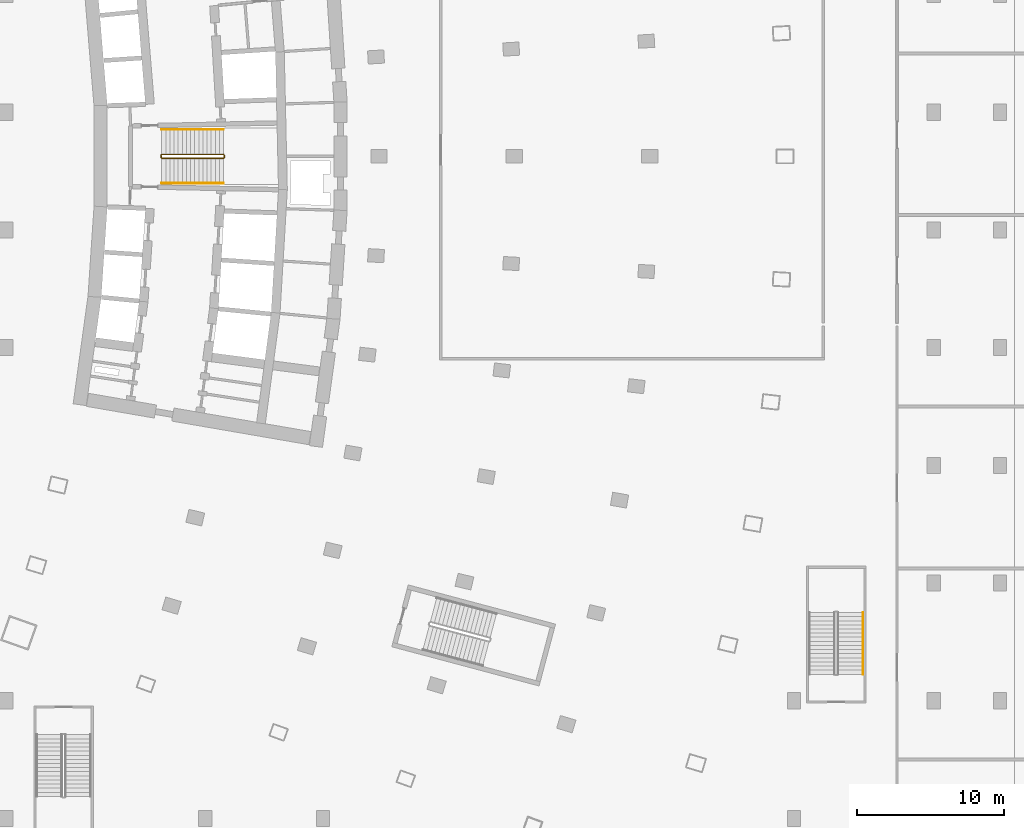
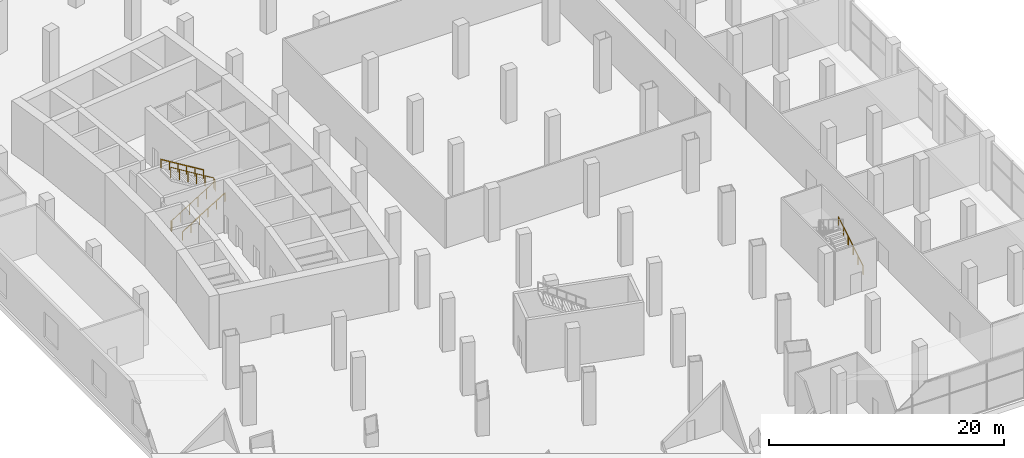
# One storey, part 22 of 26: 4 railings.
"""IFC4 building model written with IfcOpenShell, lengths in metres."""

from ifc_helpers import new_model, si_unit, direction, frame, origin, origin_with_axes, origin_2d, place, context, subcontext, project, spatial, rectangle, extrude, material, type_object, element, save


model = new_model("IFC4")

# Units and contexts
model_context = context("Model", 3, precision=1e-05, world=origin(), true_north=direction((0.0, 1.0)))
body_context = subcontext(model_context, "Body", "Model", "MODEL_VIEW")
ifc_project = project(units=[si_unit("LENGTHUNIT", "METRE"), si_unit("AREAUNIT", "SQUARE_METRE"), si_unit("VOLUMEUNIT", "CUBIC_METRE"), si_unit("PLANEANGLEUNIT", "RADIAN"), si_unit("MASSUNIT", "GRAM", prefix="KILO")], contexts=[model_context])

# Site, building, storey
site_placement = place(None, origin())
site = spatial("IfcSite", under=ifc_project, at=site_placement, CompositionType="ELEMENT")
building_placement = place(site_placement, origin())
building = spatial("IfcBuilding", under=site, at=building_placement, Name="Alderwake Tower", CompositionType="ELEMENT")
storey_placement = place(building_placement, frame((0.0, 0.0, 8.0)))
storey = spatial("IfcBuildingStorey", under=building, at=storey_placement, Name="L01", CompositionType="ELEMENT", Elevation=8.0)

# Railings
ifc_material_1 = material(Name="Stainless steel guard", Category="steel")
railing_type_1 = type_object("IfcRailingType", Name="Stair guard 1100", PredefinedType="GUARDRAIL", material=ifc_material_1)
railing_1_placement = place(storey_placement, frame((20.989990234375, 60.925048828125, 0.0)))
element("IfcRailing", 1, at=railing_1_placement, inside=storey, type_object=railing_type_1, Name="L01 ST-B stair guard 1", PredefinedType="GUARDRAIL", context=body_context, shape_type="SweptSolid", body=[
    extrude(rectangle(XDim=0.048095703125, YDim=0.048095703125, at=origin_2d()), frame((0.0, 0.0, 1.076171875), z_axis=(0.0, 1.0, 0.0), x_axis=(-1.0, 0.0, 0.0)), (0.0, 0.0, 1.0), 0.14990234375),
    extrude(rectangle(XDim=0.048095703125, YDim=0.048095703125, at=origin_2d()), frame((0.0, 0.14990234375, 1.076171875), z_axis=(0.186486819998, -0.745037588186, 0.640423030626), x_axis=(0.970072785993, 0.242814311512, 0.0)), (0.0, 0.0, 1.0), 0.268310546875),
    extrude(rectangle(XDim=0.048095703125, YDim=0.048095703125, at=origin_2d()), frame((0.050048828125, -0.050048828125, 1.248046875), z_axis=(0.852242915053, 0.0, 0.523146264196), x_axis=(0.0, 1.0, 0.0)), (0.0, 0.0, 1.0), 4.92822265625),
    extrude(rectangle(XDim=0.048095703125, YDim=0.048095703125, at=origin_2d()), frame((4.25, -0.050048828125, 3.826171875), z_axis=(0.707106781187, 0.707106781187, 0.0), x_axis=(-0.707106781187, 0.707106781187, 0.0)), (0.0, 0.0, 1.0), 0.07080078125),
    extrude(rectangle(XDim=0.048095703125, YDim=0.048095703125, at=origin_2d()), frame((4.300048828125, 0.0, 3.826171875), z_axis=(0.0, 1.0, 0.0), x_axis=(-1.0, 0.0, 0.0)), (0.0, 0.0, 1.0), 0.14990234375),
    extrude(rectangle(XDim=0.048095703125, YDim=0.048095703125, at=origin_2d()), frame((4.300048828125, 0.14990234375, 3.826171875), z_axis=(-0.269255725606, 0.269255725606, 0.92466356501), x_axis=(-0.707106781187, -0.707106781187, 0.0)), (0.0, 0.0, 1.0), 0.185791015625),
    extrude(rectangle(XDim=0.048095703125, YDim=0.048095703125, at=origin_2d()), frame((4.25, 0.199951171875, 3.998046875), z_axis=(-0.852242915053, 0.0, 0.523146264196), x_axis=(0.0, -1.0, 0.0)), (0.0, 0.0, 1.0), 4.92822265625),
    extrude(rectangle(XDim=0.0419921875, YDim=0.0419921875, at=origin_2d()), frame((0.0, 0.0, 0.0), z_axis=(0.0, 0.0, 1.0), x_axis=(0.0, 1.0, 0.0)), (0.0, 0.0, 1.0), 1.052001953125),
    extrude(rectangle(XDim=0.0419921875, YDim=0.0419921875, at=origin_2d()), frame((0.0, 0.14990234375, 0.0), z_axis=(0.0, 0.0, 1.0), x_axis=(0.242814311512, -0.970072785993, 0.0)), (0.0, 0.0, 1.0), 1.052001953125),
    extrude(rectangle(XDim=0.0419921875, YDim=0.0419921875, at=origin_2d()), frame((0.050048828125, -0.050048828125, 0.171875), z_axis=(0.0, 0.0, 1.0), x_axis=(1.0, 0.0, 0.0)), (0.0, 0.0, 1.0), 1.052001953125),
    extrude(rectangle(XDim=0.0419921875, YDim=0.0419921875, at=origin_2d()), frame((0.89013671875, -0.050048828125, 0.6875), z_axis=(0.0, 0.0, 1.0), x_axis=(1.0, 0.0, 0.0)), (0.0, 0.0, 1.0), 1.052001953125),
    extrude(rectangle(XDim=0.0419921875, YDim=0.0419921875, at=origin_2d()), frame((1.72998046875, -0.050048828125, 1.203125), z_axis=(0.0, 0.0, 1.0), x_axis=(1.0, 0.0, 0.0)), (0.0, 0.0, 1.0), 1.052001953125),
    extrude(rectangle(XDim=0.0419921875, YDim=0.0419921875, at=origin_2d()), frame((2.570068359375, -0.050048828125, 1.71875), z_axis=(0.0, 0.0, 1.0), x_axis=(1.0, 0.0, 0.0)), (0.0, 0.0, 1.0), 1.052001953125),
    extrude(rectangle(XDim=0.0419921875, YDim=0.0419921875, at=origin_2d()), frame((3.409912109375, -0.050048828125, 2.234375), z_axis=(0.0, 0.0, 1.0), x_axis=(1.0, 0.0, 0.0)), (0.0, 0.0, 1.0), 1.052001953125),
    extrude(rectangle(XDim=0.0419921875, YDim=0.0419921875, at=origin_2d()), frame((4.25, -0.050048828125, 2.75), z_axis=(0.0, 0.0, 1.0), x_axis=(0.707106781187, 0.707106781187, 0.0)), (0.0, 0.0, 1.0), 1.052001953125),
    extrude(rectangle(XDim=0.0419921875, YDim=0.0419921875, at=origin_2d()), frame((4.300048828125, 0.0, 2.75), z_axis=(0.0, 0.0, 1.0), x_axis=(0.0, 1.0, 0.0)), (0.0, 0.0, 1.0), 1.052001953125),
    extrude(rectangle(XDim=0.0419921875, YDim=0.0419921875, at=origin_2d()), frame((4.300048828125, 0.14990234375, 2.75), z_axis=(0.0, 0.0, 1.0), x_axis=(-0.707106781187, 0.707106781187, 0.0)), (0.0, 0.0, 1.0), 1.052001953125),
    extrude(rectangle(XDim=0.0419921875, YDim=0.0419921875, at=origin_2d()), frame((4.25, 0.199951171875, 2.921875), z_axis=(0.0, 0.0, 1.0), x_axis=(-1.0, 0.0, 0.0)), (0.0, 0.0, 1.0), 1.052001953125),
    extrude(rectangle(XDim=0.0419921875, YDim=0.0419921875, at=origin_2d()), frame((3.409912109375, 0.199951171875, 3.4375), z_axis=(0.0, 0.0, 1.0), x_axis=(-1.0, 0.0, 0.0)), (0.0, 0.0, 1.0), 1.052001953125),
    extrude(rectangle(XDim=0.0419921875, YDim=0.0419921875, at=origin_2d()), frame((2.570068359375, 0.199951171875, 3.953125), z_axis=(0.0, 0.0, 1.0), x_axis=(-1.0, 0.0, 0.0)), (0.0, 0.0, 1.0), 1.052001953125),
    extrude(rectangle(XDim=0.0419921875, YDim=0.0419921875, at=origin_2d()), frame((1.72998046875, 0.199951171875, 4.46875), z_axis=(0.0, 0.0, 1.0), x_axis=(-1.0, 0.0, 0.0)), (0.0, 0.0, 1.0), 1.052001953125),
    extrude(rectangle(XDim=0.0419921875, YDim=0.0419921875, at=origin_2d()), frame((0.89013671875, 0.199951171875, 4.984375), z_axis=(0.0, 0.0, 1.0), x_axis=(-1.0, 0.0, 0.0)), (0.0, 0.0, 1.0), 1.052001953125),
    extrude(rectangle(XDim=0.0419921875, YDim=0.0419921875, at=origin_2d()), frame((0.050048828125, 0.199951171875, 5.5), z_axis=(0.0, 0.0, 1.0), x_axis=(-1.0, 0.0, 0.0)), (0.0, 0.0, 1.0), 1.052001953125),
])
ifc_material_2 = material(Name="Stainless steel handrail", Category="steel")
railing_type_2 = type_object("IfcRailingType", Name="Stair handrail 900", PredefinedType="HANDRAIL", material=ifc_material_2)
railing_2_placement = place(storey_placement, frame((21.0400390625, 59.175048828125, 0.171875)))
element("IfcRailing", 2, at=railing_2_placement, inside=storey, type_object=railing_type_2, Name="L01 ST-B stair handrail 1", PredefinedType="HANDRAIL", context=body_context, shape_type="SweptSolid", body=[
    extrude(rectangle(XDim=0.048095703125, YDim=0.048095703125, at=origin_2d()), frame((0.0, 0.0, 0.8759765625), z_axis=(0.852242915053, 0.0, 0.523146264196), x_axis=(0.0, 1.0, 0.0)), (0.0, 0.0, 1.0), 4.92822265625),
    extrude(rectangle(XDim=0.0419921875, YDim=0.0419921875, at=origin_2d()), origin_with_axes(), (0.0, 0.0, 1.0), 0.851806640625),
    extrude(rectangle(XDim=0.0419921875, YDim=0.0419921875, at=origin_2d()), frame((0.840087890625, 0.0, 0.515625), z_axis=(0.0, 0.0, 1.0), x_axis=(1.0, 0.0, 0.0)), (0.0, 0.0, 1.0), 0.851806640625),
    extrude(rectangle(XDim=0.0419921875, YDim=0.0419921875, at=origin_2d()), frame((1.679931640625, 0.0, 1.03125), z_axis=(0.0, 0.0, 1.0), x_axis=(1.0, 0.0, 0.0)), (0.0, 0.0, 1.0), 0.851806640625),
    extrude(rectangle(XDim=0.0419921875, YDim=0.0419921875, at=origin_2d()), frame((2.52001953125, 0.0, 1.546875), z_axis=(0.0, 0.0, 1.0), x_axis=(1.0, 0.0, 0.0)), (0.0, 0.0, 1.0), 0.851806640625),
    extrude(rectangle(XDim=0.0419921875, YDim=0.0419921875, at=origin_2d()), frame((3.35986328125, 0.0, 2.0625), z_axis=(0.0, 0.0, 1.0), x_axis=(1.0, 0.0, 0.0)), (0.0, 0.0, 1.0), 0.851806640625),
    extrude(rectangle(XDim=0.0419921875, YDim=0.0419921875, at=origin_2d()), frame((4.199951171875, 0.0, 2.578125), z_axis=(0.0, 0.0, 1.0), x_axis=(1.0, 0.0, 0.0)), (0.0, 0.0, 1.0), 0.851806640625),
])
railing_3_placement = place(storey_placement, frame((25.239990234375, 62.824951171875, 2.921875)))
element("IfcRailing", 3, at=railing_3_placement, inside=storey, type_object=railing_type_2, Name="L01 ST-B stair handrail 2", PredefinedType="HANDRAIL", context=body_context, shape_type="SweptSolid", body=[
    extrude(rectangle(XDim=0.048095703125, YDim=0.048095703125, at=origin_2d()), frame((0.0, 0.0, 0.8759765625), z_axis=(-0.852242915053, 0.0, 0.523146264196), x_axis=(0.0, -1.0, 0.0)), (0.0, 0.0, 1.0), 4.92822265625),
    extrude(rectangle(XDim=0.0419921875, YDim=0.0419921875, at=origin_2d()), frame((0.0, 0.0, 0.0), z_axis=(0.0, 0.0, 1.0), x_axis=(-1.0, 0.0, 0.0)), (0.0, 0.0, 1.0), 0.851806640625),
    extrude(rectangle(XDim=0.0419921875, YDim=0.0419921875, at=origin_2d()), frame((-0.840087890625, 0.0, 0.515625), z_axis=(0.0, 0.0, 1.0), x_axis=(-1.0, 0.0, 0.0)), (0.0, 0.0, 1.0), 0.851806640625),
    extrude(rectangle(XDim=0.0419921875, YDim=0.0419921875, at=origin_2d()), frame((-1.679931640625, 0.0, 1.03125), z_axis=(0.0, 0.0, 1.0), x_axis=(-1.0, 0.0, 0.0)), (0.0, 0.0, 1.0), 0.851806640625),
    extrude(rectangle(XDim=0.0419921875, YDim=0.0419921875, at=origin_2d()), frame((-2.52001953125, 0.0, 1.546875), z_axis=(0.0, 0.0, 1.0), x_axis=(-1.0, 0.0, 0.0)), (0.0, 0.0, 1.0), 0.851806640625),
    extrude(rectangle(XDim=0.0419921875, YDim=0.0419921875, at=origin_2d()), frame((-3.35986328125, 0.0, 2.0625), z_axis=(0.0, 0.0, 1.0), x_axis=(-1.0, 0.0, 0.0)), (0.0, 0.0, 1.0), 0.851806640625),
    extrude(rectangle(XDim=0.0419921875, YDim=0.0419921875, at=origin_2d()), frame((-4.199951171875, 0.0, 2.578125), z_axis=(0.0, 0.0, 1.0), x_axis=(-1.0, 0.0, 0.0)), (0.0, 0.0, 1.0), 0.851806640625),
])
railing_4_placement = place(storey_placement, frame((68.699951171875, 25.800048828125, 0.171875)))
element("IfcRailing", 4, at=railing_4_placement, inside=storey, type_object=railing_type_2, Name="L01 ST-P4 stair handrail 1", PredefinedType="HANDRAIL", context=body_context, shape_type="SweptSolid", body=[
    extrude(rectangle(XDim=0.048095703125, YDim=0.048095703125, at=origin_2d()), frame((0.0, 0.0, 0.8759765625), z_axis=(0.0, 0.852242915053, 0.523146264196), x_axis=(-1.0, 0.0, 0.0)), (0.0, 0.0, 1.0), 4.92822265625),
    extrude(rectangle(XDim=0.0419921875, YDim=0.0419921875, at=origin_2d()), frame((0.0, 0.0, 0.0), z_axis=(0.0, 0.0, 1.0), x_axis=(0.0, 1.0, 0.0)), (0.0, 0.0, 1.0), 0.851806640625),
    extrude(rectangle(XDim=0.0419921875, YDim=0.0419921875, at=origin_2d()), frame((0.0, 0.840087890625, 0.515625), z_axis=(0.0, 0.0, 1.0), x_axis=(0.0, 1.0, 0.0)), (0.0, 0.0, 1.0), 0.851806640625),
    extrude(rectangle(XDim=0.0419921875, YDim=0.0419921875, at=origin_2d()), frame((0.0, 1.679931640625, 1.03125), z_axis=(0.0, 0.0, 1.0), x_axis=(0.0, 1.0, 0.0)), (0.0, 0.0, 1.0), 0.851806640625),
    extrude(rectangle(XDim=0.0419921875, YDim=0.0419921875, at=origin_2d()), frame((0.0, 2.52001953125, 1.546875), z_axis=(0.0, 0.0, 1.0), x_axis=(0.0, 1.0, 0.0)), (0.0, 0.0, 1.0), 0.851806640625),
    extrude(rectangle(XDim=0.0419921875, YDim=0.0419921875, at=origin_2d()), frame((0.0, 3.35986328125, 2.0625), z_axis=(0.0, 0.0, 1.0), x_axis=(0.0, 1.0, 0.0)), (0.0, 0.0, 1.0), 0.851806640625),
    extrude(rectangle(XDim=0.0419921875, YDim=0.0419921875, at=origin_2d()), frame((0.0, 4.199951171875, 2.578125), z_axis=(0.0, 0.0, 1.0), x_axis=(0.0, 1.0, 0.0)), (0.0, 0.0, 1.0), 0.851806640625),
])

save(model, "model.ifc")
